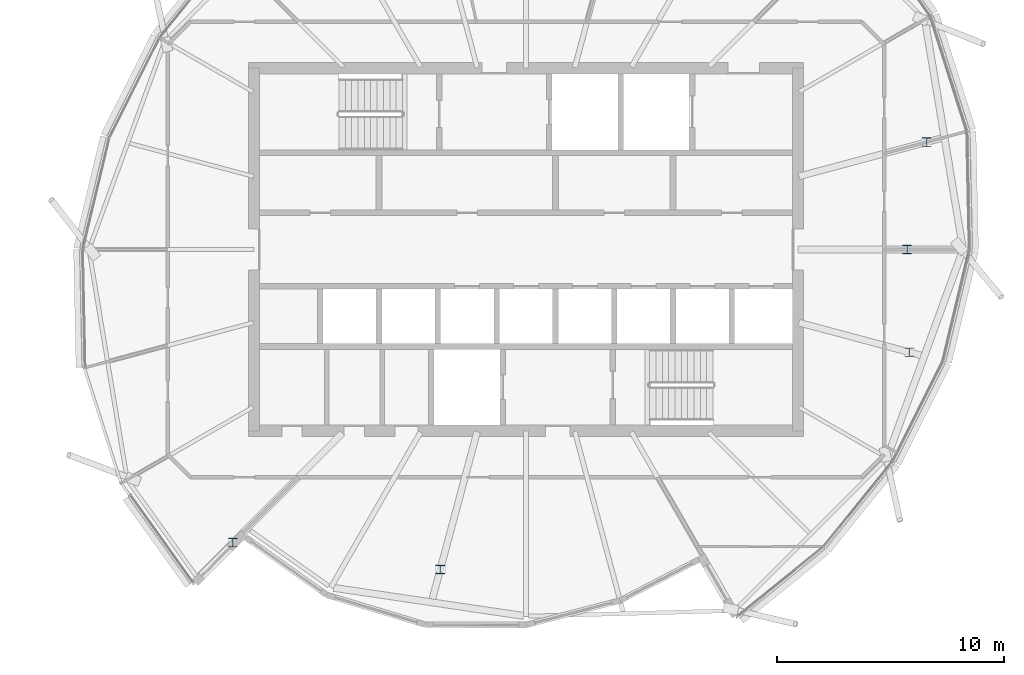
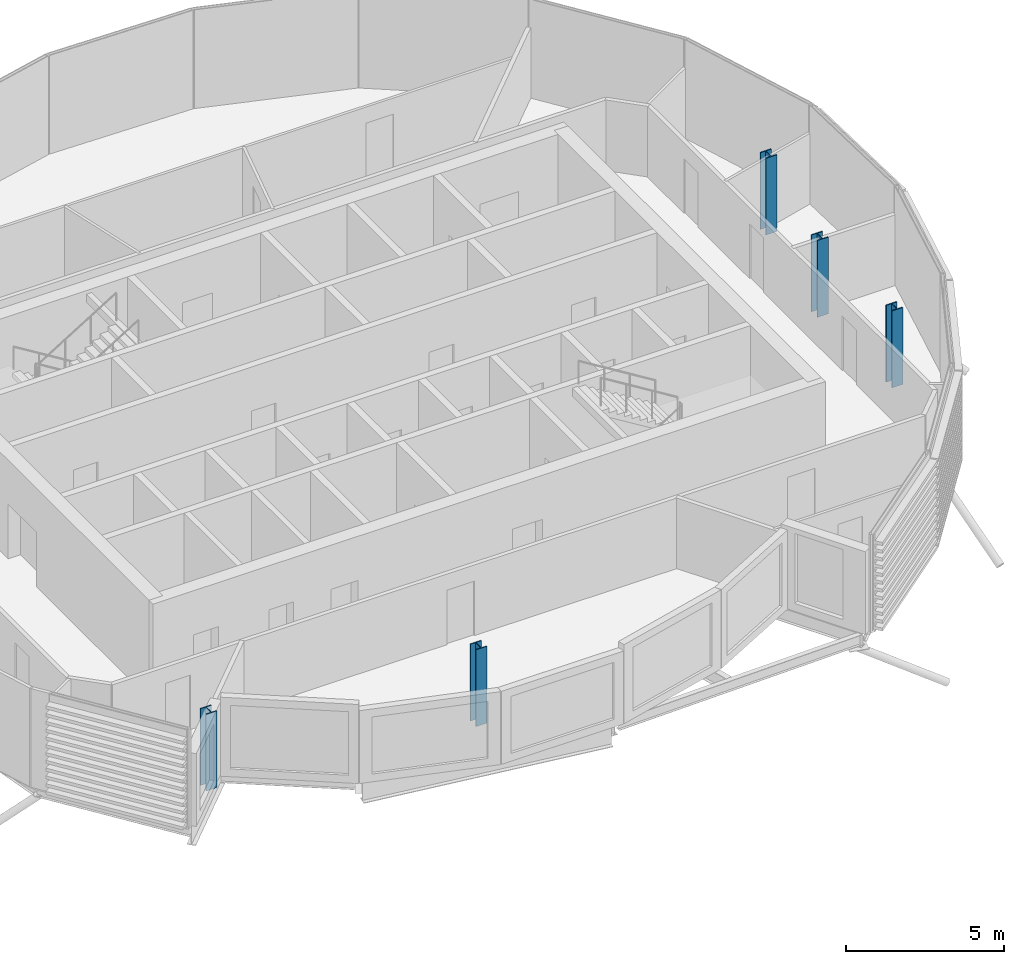
# One storey, part 2 of 35: 5 columns.
"""IFC4 building model written with IfcOpenShell, lengths in metres."""

from ifc_helpers import new_model, si_unit, direction, frame, origin, origin_2d, place, context, subcontext, project, spatial, i_section, extrude, material, material_profile, profile_set, type_object, element, save


model = new_model("IFC4")

# Units and contexts
model_context = context("Model", 3, precision=1e-05, world=origin(), true_north=direction((0.0, 1.0)))
body_context = subcontext(model_context, "Body", "Model", "MODEL_VIEW")
ifc_project = project(units=[si_unit("LENGTHUNIT", "METRE"), si_unit("AREAUNIT", "SQUARE_METRE"), si_unit("VOLUMEUNIT", "CUBIC_METRE"), si_unit("PLANEANGLEUNIT", "RADIAN"), si_unit("MASSUNIT", "GRAM", prefix="KILO")], contexts=[model_context])

# Site, building, storey
site_placement = place(None, origin())
site = spatial("IfcSite", under=ifc_project, at=site_placement, CompositionType="ELEMENT")
building_placement = place(site_placement, origin())
building = spatial("IfcBuilding", under=site, at=building_placement, Name="Rimbun Link Towers", CompositionType="ELEMENT")
storey_placement = place(building_placement, frame((0.0, 0.0, 229.5)))
storey = spatial("IfcBuildingStorey", under=building, at=storey_placement, Name="L56", CompositionType="ELEMENT", Elevation=229.5)

# Columns
ifc_material = material(Name="Steel S355J2", Category="steel")
ifc_material_profile = material_profile(ifc_material, i_section(OverallWidth=0.39892578125, OverallDepth=0.3935546875, WebThickness=0.022705078125, FlangeThickness=0.03662109375, at=origin_2d()), Name="UC 356x406x287")
ifc_profile_set = profile_set([ifc_material_profile], Name="Steel S355J2")
column_type = type_object("IfcColumnType", Name="UC 356x406x287", PredefinedType="COLUMN", material=ifc_profile_set)
for number, where, z_axis, x_axis, name in (
    (1, (18.8173828125, -12.9326171875, -0.139892578125), (0.0, 0.0, 1.0), (1.0, 0.0, 0.0), "Crease post T2 L56 12"),
    (2, (27.967041015625, -14.118408203125, -0.139892578125), (0.0, 0.0, 1.0), (1.0, 0.0, 0.0), "Crease post T2 L56 14"),
    (3, (48.661865234375, -4.531494140625, -0.139892578125), (0.0, 0.0, 1.0), (1.0, 0.0, 0.0), "Crease post T2 L56 20"),
    (4, (48.560302734375, 0.0, -0.139892578125), (0.0, 0.0, 1.0), (1.0, 0.0, 0.0), "Crease post T2 L56 21"),
    (5, (49.4228515625, 4.735595703125, -0.139892578125), (0.0, 0.0, 1.0), (1.0, 0.0, 0.0), "Crease post T2 L56 22"),
):
    element("IfcColumn", number, at=place(storey_placement, frame(where, z_axis=z_axis, x_axis=x_axis)), inside=storey, type_object=column_type, Name=name, PredefinedType="COLUMN", context=body_context, shape_type="SweptSolid", body=[
        extrude(i_section(OverallWidth=0.39892578125, OverallDepth=0.3935546875, WebThickness=0.022705078125, FlangeThickness=0.03662109375, at=origin_2d()), origin(), (0.0, 0.0, 1.0), 2.959228515625),
    ])

save(model, "model.ifc")
